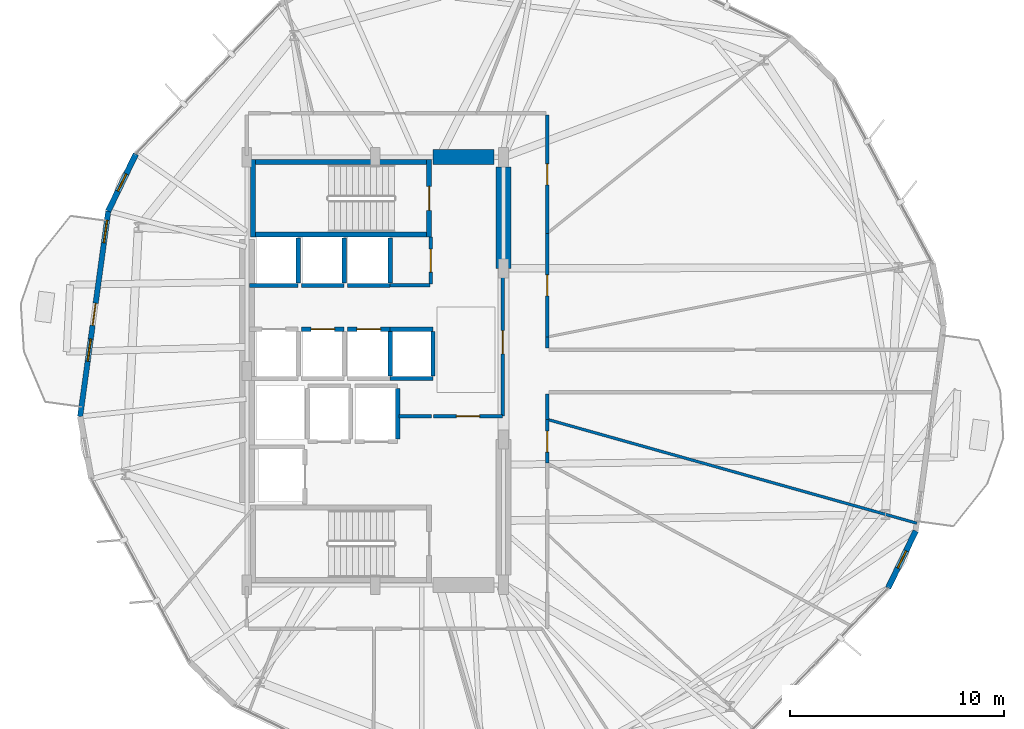
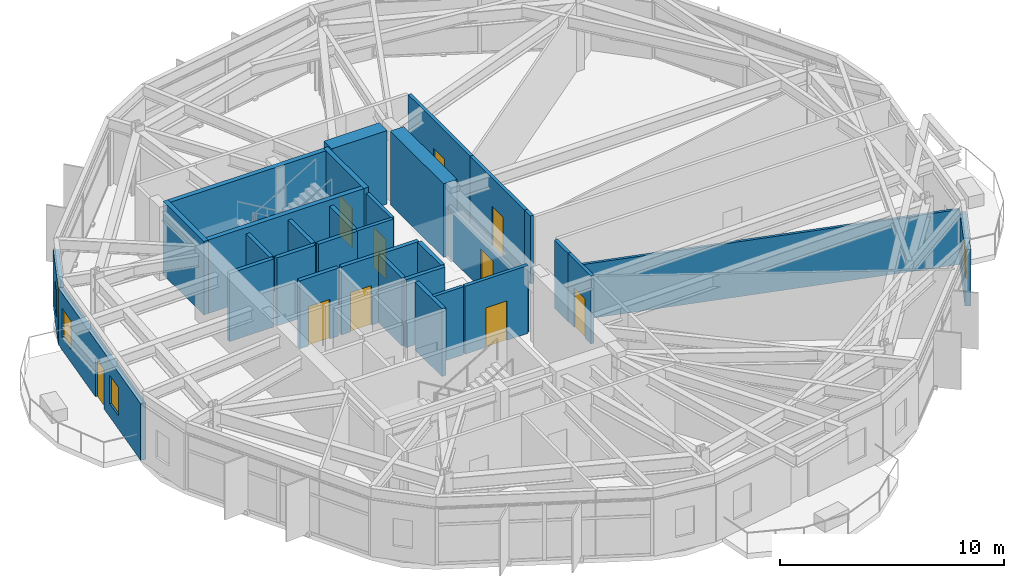
# One storey, part 18 of 22: 33 walls, 10 doors, 4 windows, 14 openings.
"""IFC4 building model written with IfcOpenShell, lengths in metres."""

from ifc_helpers import new_model, si_unit, direction, frame, frame_2d, origin, place, context, subcontext, project, spatial, rectangle, extrude, material, layer, layer_set, type_object, element, fill, save


model = new_model("IFC4")

# Units and contexts
model_context = context("Model", 3, precision=1e-05, world=origin(), true_north=direction((0.0, 1.0)))
body_context = subcontext(model_context, "Body", "Model", "MODEL_VIEW")
ifc_project = project(units=[si_unit("LENGTHUNIT", "METRE"), si_unit("AREAUNIT", "SQUARE_METRE"), si_unit("VOLUMEUNIT", "CUBIC_METRE"), si_unit("PLANEANGLEUNIT", "RADIAN"), si_unit("MASSUNIT", "GRAM", prefix="KILO")], contexts=[model_context])

# Site, building, storey
site_placement = place(None, origin())
site = spatial("IfcSite", under=ifc_project, at=site_placement, CompositionType="ELEMENT")
building_placement = place(site_placement, origin())
building = spatial("IfcBuilding", under=site, at=building_placement, Name="Soratama Intermodal Tower", CompositionType="ELEMENT")
storey_placement = place(building_placement, frame((0.0, 0.0, 66.60009765625)))
storey = spatial("IfcBuildingStorey", under=building, at=storey_placement, Name="L15", CompositionType="ELEMENT", Elevation=66.60009765625)

# Wall, openings, door, windows
ifc_material_1 = material(Name="Concrete f'c 42 MPa", Category="concrete")
ifc_layer_1 = layer(ifc_material_1, 0.25)
ifc_layer_set_1 = layer_set([ifc_layer_1], Name="Concrete f'c 42 MPa")
wall_type_1 = type_object("IfcWallType", Name="EW-BAL-250", PredefinedType="SOLIDWALL", material=ifc_layer_set_1)
wall_1_placement = place(storey_placement, frame((26.116943359375, 32.48095703125, 0.0), z_axis=(0.0, 0.0, 1.0), x_axis=(-0.13571645175, -0.99074772002, 0.0)))
wall_1 = element("IfcWall", 1, at=wall_1_placement, inside=storey, type_object=wall_type_1, Name="L15 Terrace Wall F05", PredefinedType="SOLIDWALL", context=body_context, shape_type="SweptSolid", body=[
    extrude(rectangle(XDim=9.697998046875, YDim=0.25, at=frame_2d((4.84912109375, 0.0))), origin(), (0.0, 0.0, 1.0), 3.078857421875),
])
opening_1_placement = place(wall_1_placement, frame((4.34912109375, 0.0, 0.0)))
opening_1 = element("IfcOpeningElement", 2, at=opening_1_placement, cuts=wall_1, Name="Opening ED-5", PredefinedType="OPENING", context=body_context, shape_type="SweptSolid", body=[
    extrude(rectangle(XDim=1.050048828125, YDim=2.14990234375, at=frame_2d((0.52490234375, 1.074951171875))), frame((0.0, 0.135009765625, 0.0), z_axis=(0.0, -1.0, 0.0), x_axis=(1.0, 0.0, 0.0)), (0.0, 0.0, 1.0), 0.27001953125),
])
opening_2_placement = place(wall_1_placement, frame((0.43994140625, 0.0, 0.719970703125)))
opening_2 = element("IfcOpeningElement", 3, at=opening_2_placement, cuts=wall_1, Name="Opening WN-5", PredefinedType="OPENING", context=body_context, shape_type="SweptSolid", body=[
    extrude(rectangle(XDim=1.050048828125, YDim=1.550048828125, at=frame_2d((0.52490234375, 0.77490234375))), frame((0.0, 0.135009765625, 0.0), z_axis=(0.0, -1.0, 0.0), x_axis=(1.0, 0.0, 0.0)), (0.0, 0.0, 1.0), 0.27001953125),
])
opening_3_placement = place(wall_1_placement, frame((6.0390625, 0.0, 0.719970703125)))
opening_3 = element("IfcOpeningElement", 4, at=opening_3_placement, cuts=wall_1, Name="Opening WN-5", PredefinedType="OPENING", context=body_context, shape_type="SweptSolid", body=[
    extrude(rectangle(XDim=1.050048828125, YDim=1.550048828125, at=frame_2d((0.52490234375, 0.77490234375))), frame((0.0, 0.135009765625, 0.0), z_axis=(0.0, -1.0, 0.0), x_axis=(1.0, 0.0, 0.0)), (0.0, 0.0, 1.0), 0.27001953125),
])
ifc_material_2 = material(Name="Double-glazed aluminium door", Category="aluminium")
door_type_1 = type_object("IfcDoorType", Name="DR-BAL-1050", OperationType="NOTDEFINED", PredefinedType="DOOR", material=ifc_material_2)
door_1_placement = place(opening_1_placement, origin())
door_1 = element("IfcDoor", 5, at=door_1_placement, inside=storey, type_object=door_type_1, Name="L15 Balcony Door F05", OperationType="SINGLE_SWING_LEFT", OverallHeight=2.14990234375, OverallWidth=1.050048828125, PredefinedType="DOOR", context=body_context, shape_type="SweptSolid", body=[
    extrude(rectangle(XDim=1.050048828125, YDim=2.14990234375, at=frame_2d((0.52490234375, 1.074951171875))), frame((0.0, 0.02490234375, 0.0), z_axis=(0.0, -1.0, 0.0), x_axis=(1.0, 0.0, 0.0)), (0.0, 0.0, 1.0), 0.050048828125),
])
fill(opening_1, door_1)
ifc_material_3 = material(Name="Double-glazed aluminium window", Category="aluminium")
window_type_1 = type_object("IfcWindowType", Name="WN-FAC-1050", PartitioningType="SINGLE_PANEL", PredefinedType="WINDOW", material=ifc_material_3)
window_1_placement = place(opening_2_placement, origin())
window_1 = element("IfcWindow", 6, at=window_1_placement, inside=storey, type_object=window_type_1, Name="L15 Window A F05", OverallHeight=1.550048828125, OverallWidth=1.050048828125, PartitioningType="SINGLE_PANEL", PredefinedType="WINDOW", context=body_context, shape_type="SweptSolid", body=[
    extrude(rectangle(XDim=1.050048828125, YDim=1.550048828125, at=frame_2d((0.52490234375, 0.77490234375))), frame((0.0, 0.030029296875, 0.0), z_axis=(0.0, -1.0, 0.0), x_axis=(1.0, 0.0, 0.0)), (0.0, 0.0, 1.0), 0.06005859375),
])
fill(opening_2, window_1)
window_2_placement = place(opening_3_placement, origin())
window_2 = element("IfcWindow", 7, at=window_2_placement, inside=storey, type_object=window_type_1, Name="L15 Window B F05", OverallHeight=1.550048828125, OverallWidth=1.050048828125, PartitioningType="SINGLE_PANEL", PredefinedType="WINDOW", context=body_context, shape_type="SweptSolid", body=[
    extrude(rectangle(XDim=1.050048828125, YDim=1.550048828125, at=frame_2d((0.52490234375, 0.77490234375))), frame((0.0, 0.030029296875, 0.0), z_axis=(0.0, -1.0, 0.0), x_axis=(1.0, 0.0, 0.0)), (0.0, 0.0, 1.0), 0.06005859375),
])
fill(opening_3, window_2)

# Wall, opening, window
ifc_material_4 = material(Name="Concrete f'c 42 MPa", Category="concrete")
ifc_layer_2 = layer(ifc_material_4, 0.27001953125)
ifc_layer_set_2 = layer_set([ifc_layer_2], Name="Concrete f'c 42 MPa")
wall_type_2 = type_object("IfcWallType", Name="EW-CRN-270", PredefinedType="SOLIDWALL", material=ifc_layer_set_2)
wall_2_placement = place(storey_placement, frame((27.407958984375, 35.15185546875, 0.0), z_axis=(0.0, 0.0, 1.0), x_axis=(-0.435190898054, -0.900338204371, 0.0)))
wall_2 = element("IfcWall", 8, at=wall_2_placement, inside=storey, type_object=wall_type_2, Name="L15 Corner Closure Wall 04", PredefinedType="SOLIDWALL", context=body_context, shape_type="SweptSolid", body=[
    extrude(rectangle(XDim=2.966552734375, YDim=0.27001953125, at=frame_2d((1.4833984375, 0.0))), origin(), (0.0, 0.0, 1.0), 3.078857421875),
])
opening_4_placement = place(wall_2_placement, frame((1.033203125, 0.0, 0.75)))
opening_4 = element("IfcOpeningElement", 9, at=opening_4_placement, cuts=wall_2, Name="Opening WN-6", PredefinedType="OPENING", context=body_context, shape_type="SweptSolid", body=[
    extrude(rectangle(XDim=0.89990234375, YDim=1.5, at=frame_2d((0.449951171875, 0.75))), frame((0.0, 0.14501953125, 0.0), z_axis=(0.0, -1.0, 0.0), x_axis=(1.0, 0.0, 0.0)), (0.0, 0.0, 1.0), 0.2900390625),
])
ifc_material_5 = material(Name="Double-glazed aluminium window", Category="aluminium")
window_type_2 = type_object("IfcWindowType", Name="WN-FAC-900", PartitioningType="SINGLE_PANEL", PredefinedType="WINDOW", material=ifc_material_5)
window_3_placement = place(opening_4_placement, origin())
window_3 = element("IfcWindow", 10, at=window_3_placement, inside=storey, type_object=window_type_2, Name="L15 Corner Window 04", OverallHeight=1.5, OverallWidth=0.89990234375, PartitioningType="SINGLE_PANEL", PredefinedType="WINDOW", context=body_context, shape_type="SweptSolid", body=[
    extrude(rectangle(XDim=0.89990234375, YDim=1.5, at=frame_2d((0.449951171875, 0.75))), frame((0.0, 0.030029296875, 0.0), z_axis=(0.0, -1.0, 0.0), x_axis=(1.0, 0.0, 0.0)), (0.0, 0.0, 1.0), 0.06005859375),
])
fill(opening_4, window_3)

wall_3_placement = place(storey_placement, frame((62.592041015625, 14.84814453125, 0.0), z_axis=(0.0, 0.0, 1.0), x_axis=(0.435190898054, 0.900338204371, 0.0)))
wall_3 = element("IfcWall", 11, at=wall_3_placement, inside=storey, type_object=wall_type_2, Name="L15 Corner Closure Wall 09", PredefinedType="SOLIDWALL", context=body_context, shape_type="SweptSolid", body=[
    extrude(rectangle(XDim=2.966552734375, YDim=0.27001953125, at=frame_2d((1.4833984375, 0.0))), origin(), (0.0, 0.0, 1.0), 3.078857421875),
])
opening_5_placement = place(wall_3_placement, frame((1.033203125, 0.0, 0.75)))
opening_5 = element("IfcOpeningElement", 12, at=opening_5_placement, cuts=wall_3, Name="Opening WN-6", PredefinedType="OPENING", context=body_context, shape_type="SweptSolid", body=[
    extrude(rectangle(XDim=0.89990234375, YDim=1.5, at=frame_2d((0.449951171875, 0.75))), frame((0.0, 0.14501953125, 0.0), z_axis=(0.0, -1.0, 0.0), x_axis=(1.0, 0.0, 0.0)), (0.0, 0.0, 1.0), 0.2900390625),
])
window_4_placement = place(opening_5_placement, origin())
window_4 = element("IfcWindow", 13, at=window_4_placement, inside=storey, type_object=window_type_2, Name="L15 Corner Window 09", OverallHeight=1.5, OverallWidth=0.89990234375, PartitioningType="SINGLE_PANEL", PredefinedType="WINDOW", context=body_context, shape_type="SweptSolid", body=[
    extrude(rectangle(XDim=0.89990234375, YDim=1.5, at=frame_2d((0.449951171875, 0.75))), frame((0.0, 0.030029296875, 0.0), z_axis=(0.0, -1.0, 0.0), x_axis=(1.0, 0.0, 0.0)), (0.0, 0.0, 1.0), 0.06005859375),
])
fill(opening_5, window_4)

# Wall, opening, door
ifc_material_6 = material(Name="Fire-rated gypsum stud partition", Category="concrete")
ifc_layer_3 = layer(ifc_material_6, 0.169921875)
ifc_layer_set_3 = layer_set([ifc_layer_3], Name="Fire-rated gypsum stud partition")
wall_type_3 = type_object("IfcWallType", Name="IW-PART-R170", PredefinedType="PARTITIONING", material=ifc_layer_set_3)
wall_4_placement = place(storey_placement, frame((44.56005859375, 29.800048828125, 0.0), z_axis=(0.0, 0.0, 1.0), x_axis=(0.0, -1.0, 0.0)))
wall_4 = element("IfcWall", 14, at=wall_4_placement, inside=storey, type_object=wall_type_3, Name="L15 Partition W-L15-TP012", PredefinedType="PARTITIONING", context=body_context, shape_type="SweptSolid", body=[
    extrude(rectangle(XDim=6.91015625, YDim=0.169921875, at=frame_2d((3.455078125, 0.0))), origin(), (0.0, 0.0, 1.0), 2.739990234375),
])
opening_6_placement = place(wall_4_placement, frame((2.9150390625, 0.0, 0.0)))
opening_6 = element("IfcOpeningElement", 15, at=opening_6_placement, cuts=wall_4, Name="Opening ID-1", PredefinedType="OPENING", context=body_context, shape_type="SweptSolid", body=[
    extrude(rectangle(XDim=1.080078125, YDim=2.14990234375, at=frame_2d((0.5400390625, 1.074951171875))), frame((0.0, 0.094970703125, 0.0), z_axis=(0.0, -1.0, 0.0), x_axis=(1.0, 0.0, 0.0)), (0.0, 0.0, 1.0), 0.18994140625),
])
ifc_material_7 = material(Name="Solid hardwood acoustic door", Category="wood")
door_type_2 = type_object("IfcDoorType", Name="DR-LOB-FD60", OperationType="NOTDEFINED", PredefinedType="DOOR", material=ifc_material_7)
door_2_placement = place(opening_6_placement, origin())
door_2 = element("IfcDoor", 16, at=door_2_placement, inside=storey, type_object=door_type_2, Name="L15 Door D-L15-TP004", OperationType="SINGLE_SWING_LEFT", OverallHeight=2.14990234375, OverallWidth=1.080078125, PredefinedType="DOOR", context=body_context, shape_type="SweptSolid", body=[
    extrude(rectangle(XDim=1.080078125, YDim=2.14990234375, at=frame_2d((0.5400390625, 1.074951171875))), frame((0.0, 0.02490234375, 0.0), z_axis=(0.0, -1.0, 0.0), x_axis=(1.0, 0.0, 0.0)), (0.0, 0.0, 1.0), 0.050048828125),
])
fill(opening_6, door_2)

wall_5_placement = place(storey_placement, frame((46.64990234375, 36.97998046875, 0.0), z_axis=(0.0, 0.0, 1.0), x_axis=(0.0, -1.0, 0.0)))
wall_5 = element("IfcWall", 17, at=wall_5_placement, inside=storey, type_object=wall_type_3, Name="L15 Partition W-L15-TP015", PredefinedType="PARTITIONING", context=body_context, shape_type="SweptSolid", body=[
    extrude(rectangle(XDim=5.5380859375, YDim=0.169921875, at=frame_2d((2.76904296875, 0.0))), origin(), (0.0, 0.0, 1.0), 3.699951171875),
])
opening_7_placement = place(wall_5_placement, frame((2.2939453125, 0.0, 0.0)))
opening_7 = element("IfcOpeningElement", 18, at=opening_7_placement, cuts=wall_5, Name="Opening ID-5", PredefinedType="OPENING", context=body_context, shape_type="SweptSolid", body=[
    extrude(rectangle(XDim=0.97998046875, YDim=2.14990234375, at=frame_2d((0.489990234375, 1.074951171875))), frame((0.0, 0.094970703125, 0.0), z_axis=(0.0, -1.0, 0.0), x_axis=(1.0, 0.0, 0.0)), (0.0, 0.0, 1.0), 0.18994140625),
])
ifc_material_8 = material(Name="Solid hardwood acoustic door", Category="wood")
door_type_3 = type_object("IfcDoorType", Name="DR-OFF-980", OperationType="NOTDEFINED", PredefinedType="DOOR", material=ifc_material_8)
door_3_placement = place(opening_7_placement, origin())
door_3 = element("IfcDoor", 19, at=door_3_placement, inside=storey, type_object=door_type_3, Name="L15 Door D-L15-TP005", OperationType="SINGLE_SWING_RIGHT", OverallHeight=2.14990234375, OverallWidth=0.97998046875, PredefinedType="DOOR", context=body_context, shape_type="SweptSolid", body=[
    extrude(rectangle(XDim=0.97998046875, YDim=2.14990234375, at=frame_2d((0.489990234375, 1.074951171875))), frame((0.0, 0.02490234375, 0.0), z_axis=(0.0, -1.0, 0.0), x_axis=(1.0, 0.0, 0.0)), (0.0, 0.0, 1.0), 0.050048828125),
])
fill(opening_7, door_3)

wall_6_placement = place(storey_placement, frame((46.64990234375, 31.44189453125, 0.0), z_axis=(0.0, 0.0, 1.0), x_axis=(0.0, -1.0, 0.0)))
wall_6 = element("IfcWall", 20, at=wall_6_placement, inside=storey, type_object=wall_type_3, Name="L15 Partition W-L15-TP017", PredefinedType="PARTITIONING", context=body_context, shape_type="SweptSolid", body=[
    extrude(rectangle(XDim=4.848876953125, YDim=0.169921875, at=frame_2d((2.42431640625, 0.0))), origin(), (0.0, 0.0, 1.0), 3.699951171875),
])
opening_8_placement = place(wall_6_placement, frame((1.949951171875, 0.0, 0.0)))
opening_8 = element("IfcOpeningElement", 21, at=opening_8_placement, cuts=wall_6, Name="Opening ID-5", PredefinedType="OPENING", context=body_context, shape_type="SweptSolid", body=[
    extrude(rectangle(XDim=0.97998046875, YDim=2.14990234375, at=frame_2d((0.489990234375, 1.074951171875))), frame((0.0, 0.094970703125, 0.0), z_axis=(0.0, -1.0, 0.0), x_axis=(1.0, 0.0, 0.0)), (0.0, 0.0, 1.0), 0.18994140625),
])
door_4_placement = place(opening_8_placement, origin())
door_4 = element("IfcDoor", 22, at=door_4_placement, inside=storey, type_object=door_type_3, Name="L15 Door D-L15-TP006", OperationType="SINGLE_SWING_LEFT", OverallHeight=2.14990234375, OverallWidth=0.97998046875, PredefinedType="DOOR", context=body_context, shape_type="SweptSolid", body=[
    extrude(rectangle(XDim=0.97998046875, YDim=2.14990234375, at=frame_2d((0.489990234375, 1.074951171875))), frame((0.0, 0.02490234375, 0.0), z_axis=(0.0, -1.0, 0.0), x_axis=(1.0, 0.0, 0.0)), (0.0, 0.0, 1.0), 0.050048828125),
])
fill(opening_8, door_4)

wall_7_placement = place(storey_placement, frame((41.320068359375, 22.889892578125, 0.0), z_axis=(0.0, 0.0, 1.0), x_axis=(1.0, 0.0, 0.0)))
wall_7 = element("IfcWall", 23, at=wall_7_placement, inside=storey, type_object=wall_type_3, Name="L15 Partition W-L15-TP024", PredefinedType="PARTITIONING", context=body_context, shape_type="SweptSolid", body=[
    extrude(rectangle(XDim=3.239990234375, YDim=0.169921875, at=frame_2d((1.6201171875, 0.0))), origin(), (0.0, 0.0, 1.0), 3.699951171875),
])
opening_9_placement = place(wall_7_placement, frame((1.080078125, 0.0, 0.0)))
opening_9 = element("IfcOpeningElement", 24, at=opening_9_placement, cuts=wall_7, Name="Opening ID-0", PredefinedType="OPENING", context=body_context, shape_type="SweptSolid", body=[
    extrude(rectangle(XDim=1.080078125, YDim=2.14990234375, at=frame_2d((0.5400390625, 1.074951171875))), frame((0.0, 0.094970703125, 0.0), z_axis=(0.0, -1.0, 0.0), x_axis=(1.0, 0.0, 0.0)), (0.0, 0.0, 1.0), 0.18994140625),
])
ifc_material_9 = material(Name="Solid hardwood acoustic door", Category="wood")
door_type_4 = type_object("IfcDoorType", Name="DR-LOB-FD90", OperationType="NOTDEFINED", PredefinedType="DOOR", material=ifc_material_9)
door_5_placement = place(opening_9_placement, origin())
door_5 = element("IfcDoor", 25, at=door_5_placement, inside=storey, type_object=door_type_4, Name="L15 Door D-L15-TP012", OperationType="SINGLE_SWING_LEFT", OverallHeight=2.14990234375, OverallWidth=1.080078125, PredefinedType="DOOR", context=body_context, shape_type="SweptSolid", body=[
    extrude(rectangle(XDim=1.080078125, YDim=2.14990234375, at=frame_2d((0.5400390625, 1.074951171875))), frame((0.0, 0.02490234375, 0.0), z_axis=(0.0, -1.0, 0.0), x_axis=(1.0, 0.0, 0.0)), (0.0, 0.0, 1.0), 0.050048828125),
])
fill(opening_9, door_5)

wall_8_placement = place(storey_placement, frame((41.199951171875, 29.070068359375, 0.0), z_axis=(0.0, 0.0, 1.0), x_axis=(0.0, 1.0, 0.0)))
wall_8 = element("IfcWall", 26, at=wall_8_placement, inside=storey, type_object=wall_type_3, Name="L15 Partition W-L15-TP027", PredefinedType="PARTITIONING", context=body_context, shape_type="SweptSolid", body=[
    extrude(rectangle(XDim=2.18994140625, YDim=0.169921875, at=frame_2d((1.094970703125, 0.0))), origin(), (0.0, 0.0, 1.0), 3.699951171875),
])
opening_10_placement = place(wall_8_placement, frame((0.554931640625, 0.0, 0.0)))
opening_10 = element("IfcOpeningElement", 27, at=opening_10_placement, cuts=wall_8, Name="Opening ID-1", PredefinedType="OPENING", context=body_context, shape_type="SweptSolid", body=[
    extrude(rectangle(XDim=1.080078125, YDim=2.14990234375, at=frame_2d((0.5400390625, 1.074951171875))), frame((0.0, 0.094970703125, 0.0), z_axis=(0.0, -1.0, 0.0), x_axis=(1.0, 0.0, 0.0)), (0.0, 0.0, 1.0), 0.18994140625),
])
door_6_placement = place(opening_10_placement, origin())
door_6 = element("IfcDoor", 28, at=door_6_placement, inside=storey, type_object=door_type_2, Name="L15 Door D-L15-TP014", OperationType="SINGLE_SWING_LEFT", OverallHeight=2.14990234375, OverallWidth=1.080078125, PredefinedType="DOOR", context=body_context, shape_type="SweptSolid", body=[
    extrude(rectangle(XDim=1.080078125, YDim=2.14990234375, at=frame_2d((0.5400390625, 1.074951171875))), frame((0.0, 0.02490234375, 0.0), z_axis=(0.0, -1.0, 0.0), x_axis=(1.0, 0.0, 0.0)), (0.0, 0.0, 1.0), 0.050048828125),
])
fill(opening_10, door_6)

wall_9_placement = place(storey_placement, frame((46.64990234375, 22.738037109375, 0.0), z_axis=(0.0, 0.0, 1.0), x_axis=(0.0, -1.0, 0.0)))
wall_9 = element("IfcWall", 29, at=wall_9_placement, inside=storey, type_object=wall_type_3, Name="L15 Partition W-L15-TP028", PredefinedType="PARTITIONING", context=body_context, shape_type="SweptSolid", body=[
    extrude(rectangle(XDim=2.049072265625, YDim=0.169921875, at=frame_2d((1.0244140625, 0.0))), origin(), (0.0, 0.0, 1.0), 3.699951171875),
])
opening_11_placement = place(wall_9_placement, frame((0.549072265625, 0.0, 0.0)))
opening_11 = element("IfcOpeningElement", 30, at=opening_11_placement, cuts=wall_9, Name="Opening ID-5", PredefinedType="OPENING", context=body_context, shape_type="SweptSolid", body=[
    extrude(rectangle(XDim=0.97998046875, YDim=2.14990234375, at=frame_2d((0.489990234375, 1.074951171875))), frame((0.0, 0.094970703125, 0.0), z_axis=(0.0, -1.0, 0.0), x_axis=(1.0, 0.0, 0.0)), (0.0, 0.0, 1.0), 0.18994140625),
])
door_7_placement = place(opening_11_placement, origin())
door_7 = element("IfcDoor", 31, at=door_7_placement, inside=storey, type_object=door_type_3, Name="L15 Door D-L15-TP015", OperationType="SINGLE_SWING_RIGHT", OverallHeight=2.14990234375, OverallWidth=0.97998046875, PredefinedType="DOOR", context=body_context, shape_type="SweptSolid", body=[
    extrude(rectangle(XDim=0.97998046875, YDim=2.14990234375, at=frame_2d((0.489990234375, 1.074951171875))), frame((0.0, 0.02490234375, 0.0), z_axis=(0.0, -1.0, 0.0), x_axis=(1.0, 0.0, 0.0)), (0.0, 0.0, 1.0), 0.050048828125),
])
fill(opening_11, door_7)

# Walls
wall_10_placement = place(storey_placement, frame((39.300048828125, 29.010009765625, 0.0), z_axis=(0.0, 0.0, 1.0), x_axis=(1.0, 0.0, 0.0)))
element("IfcWall", 32, at=wall_10_placement, inside=storey, type_object=wall_type_3, Name="L15 Partition W-L15-TP031", PredefinedType="PARTITIONING", context=body_context, shape_type="SweptSolid", body=[
    extrude(rectangle(XDim=1.85986328125, YDim=0.169921875, at=frame_2d((0.929931640625, 0.0))), origin(), (0.0, 0.0, 1.0), 3.699951171875),
])
wall_11_placement = place(storey_placement, frame((39.719970703125, 22.889892578125, 0.0), z_axis=(0.0, 0.0, 1.0), x_axis=(1.0, 0.0, 0.0)))
element("IfcWall", 33, at=wall_11_placement, inside=storey, type_object=wall_type_3, Name="L15 Partition W-L15-TP032", PredefinedType="PARTITIONING", context=body_context, shape_type="SweptSolid", body=[
    extrude(rectangle(XDim=1.52001953125, YDim=0.169921875, at=frame_2d((0.760009765625, 0.0))), origin(), (0.0, 0.0, 1.0), 3.699951171875),
])
wall_12_placement = place(storey_placement, frame((46.64990234375, 23.929931640625, 0.0), z_axis=(0.0, 0.0, 1.0), x_axis=(0.0, -1.0, 0.0)))
element("IfcWall", 34, at=wall_12_placement, inside=storey, type_object=wall_type_3, Name="L15 Partition W-L15-TP034", PredefinedType="PARTITIONING", context=body_context, shape_type="SweptSolid", body=[
    extrude(rectangle(XDim=1.19189453125, YDim=0.169921875, at=frame_2d((0.595947265625, 0.0))), origin(), (0.0, 0.0, 1.0), 3.699951171875),
])
wall_13_placement = place(storey_placement, frame((46.64990234375, 26.593017578125, 0.0), z_axis=(0.0, 0.0, 1.0), x_axis=(0.0, -1.0, 0.0)))
element("IfcWall", 35, at=wall_13_placement, inside=storey, type_object=wall_type_3, Name="L15 Partition W-L15-TP035", PredefinedType="PARTITIONING", context=body_context, shape_type="SweptSolid", body=[
    extrude(rectangle(XDim=0.52294921875, YDim=0.169921875, at=frame_2d((0.261474609375, 0.0))), origin(), (0.0, 0.0, 1.0), 3.699951171875),
])
ifc_material_10 = material(Name="Fire-rated gypsum stud partition", Category="concrete")
ifc_layer_4 = layer(ifc_material_10, 0.1298828125)
ifc_layer_set_4 = layer_set([ifc_layer_4], Name="Fire-rated gypsum stud partition")
wall_type_4 = type_object("IfcWallType", Name="IW-PART-S130", PredefinedType="PARTITIONING", material=ifc_layer_set_4)
wall_14_placement = place(storey_placement, frame((46.64990234375, 22.738037109375, 0.0), z_axis=(0.0, 0.0, 1.0), x_axis=(0.962722681171, -0.270490367958, 0.0)))
element("IfcWall", 36, at=wall_14_placement, inside=storey, type_object=wall_type_4, Name="L15 Partition W-L15-TP004", PredefinedType="PARTITIONING", context=body_context, shape_type="SweptSolid", body=[
    extrude(rectangle(XDim=17.952392578125, YDim=0.1298828125, at=frame_2d((8.97607421875, 0.0))), origin(), (0.0, 0.0, 1.0), 2.994873046875),
])
ifc_material_11 = material(Name="Concrete f'c 42 MPa", Category="concrete")
ifc_layer_5 = layer(ifc_material_11, 0.199951171875)
ifc_layer_set_5 = layer_set([ifc_layer_5], Name="Concrete f'c 42 MPa")
wall_type_5 = type_object("IfcWallType", Name="IW-SHAFT-200", PredefinedType="SOLIDWALL", material=ifc_layer_set_5)
wall_15_placement = place(storey_placement, frame((39.64990234375, 21.81005859375, 0.0), z_axis=(0.0, 0.0, 1.0), x_axis=(0.0, 1.0, 0.0)))
element("IfcWall", 37, at=wall_15_placement, inside=storey, type_object=wall_type_5, Name="L15 FFL-2 Hoistway Wall E", PredefinedType="SOLIDWALL", context=body_context, shape_type="SweptSolid", body=[
    extrude(rectangle(XDim=2.3798828125, YDim=0.199951171875, at=frame_2d((1.18994140625, 0.0))), origin(), (0.0, 0.0, 1.0), 3.699951171875),
])

# Wall, opening, door
wall_16_placement = place(storey_placement, frame((35.14990234375, 26.949951171875, 0.0), z_axis=(0.0, 0.0, 1.0), x_axis=(1.0, 0.0, 0.0)))
wall_16 = element("IfcWall", 38, at=wall_16_placement, inside=storey, type_object=wall_type_5, Name="L15 PL-L2 Hoistway Wall N", PredefinedType="SOLIDWALL", context=body_context, shape_type="SweptSolid", body=[
    extrude(rectangle(XDim=2.0, YDim=0.199951171875, at=frame_2d((1.0, 0.0))), origin(), (0.0, 0.0, 1.0), 3.699951171875),
])
opening_12_placement = place(wall_16_placement, frame((0.449951171875, 0.0, 0.0)))
opening_12 = element("IfcOpeningElement", 39, at=opening_12_placement, cuts=wall_16, Name="Opening LD-1", PredefinedType="OPENING", context=body_context, shape_type="SweptSolid", body=[
    extrude(rectangle(XDim=1.10009765625, YDim=2.14990234375, at=frame_2d((0.550048828125, 1.074951171875))), frame((0.0, 0.10986328125, 0.0), z_axis=(0.0, -1.0, 0.0), x_axis=(1.0, 0.0, 0.0)), (0.0, 0.0, 1.0), 0.219970703125),
])
ifc_material_12 = material(Name="Steel fire door", Category="steel")
door_type_5 = type_object("IfcDoorType", Name="DR-LIFT-SLIDE", OperationType="NOTDEFINED", PredefinedType="DOOR", material=ifc_material_12)
door_8_placement = place(opening_12_placement, origin())
door_8 = element("IfcDoor", 40, at=door_8_placement, inside=storey, type_object=door_type_5, Name="L15 PL-L2 Sliding Landing Door", OperationType="SLIDING_TO_LEFT", OverallHeight=2.14990234375, OverallWidth=1.10009765625, PredefinedType="DOOR", context=body_context, shape_type="SweptSolid", body=[
    extrude(rectangle(XDim=1.10009765625, YDim=2.14990234375, at=frame_2d((0.550048828125, 1.074951171875))), frame((0.0, 0.02490234375, 0.0), z_axis=(0.0, -1.0, 0.0), x_axis=(1.0, 0.0, 0.0)), (0.0, 0.0, 1.0), 0.050048828125),
])
fill(opening_12, door_8)

wall_17_placement = place(storey_placement, frame((37.300048828125, 26.949951171875, 0.0), z_axis=(0.0, 0.0, 1.0), x_axis=(1.0, 0.0, 0.0)))
wall_17 = element("IfcWall", 41, at=wall_17_placement, inside=storey, type_object=wall_type_5, Name="L15 PL-L3 Hoistway Wall N", PredefinedType="SOLIDWALL", context=body_context, shape_type="SweptSolid", body=[
    extrude(rectangle(XDim=2.0, YDim=0.199951171875, at=frame_2d((1.0, 0.0))), origin(), (0.0, 0.0, 1.0), 3.699951171875),
])
opening_13_placement = place(wall_17_placement, frame((0.449951171875, 0.0, 0.0)))
opening_13 = element("IfcOpeningElement", 42, at=opening_13_placement, cuts=wall_17, Name="Opening LD-1", PredefinedType="OPENING", context=body_context, shape_type="SweptSolid", body=[
    extrude(rectangle(XDim=1.10009765625, YDim=2.14990234375, at=frame_2d((0.550048828125, 1.074951171875))), frame((0.0, 0.10986328125, 0.0), z_axis=(0.0, -1.0, 0.0), x_axis=(1.0, 0.0, 0.0)), (0.0, 0.0, 1.0), 0.219970703125),
])
door_9_placement = place(opening_13_placement, origin())
door_9 = element("IfcDoor", 43, at=door_9_placement, inside=storey, type_object=door_type_5, Name="L15 PL-L3 Sliding Landing Door", OperationType="SLIDING_TO_LEFT", OverallHeight=2.14990234375, OverallWidth=1.10009765625, PredefinedType="DOOR", context=body_context, shape_type="SweptSolid", body=[
    extrude(rectangle(XDim=1.10009765625, YDim=2.14990234375, at=frame_2d((0.550048828125, 1.074951171875))), frame((0.0, 0.02490234375, 0.0), z_axis=(0.0, -1.0, 0.0), x_axis=(1.0, 0.0, 0.0)), (0.0, 0.0, 1.0), 0.050048828125),
])
fill(opening_13, door_9)

# Walls
wall_18_placement = place(storey_placement, frame((39.300048828125, 24.760009765625, 0.0), z_axis=(0.0, 0.0, 1.0), x_axis=(0.0, 1.0, 0.0)))
element("IfcWall", 44, at=wall_18_placement, inside=storey, type_object=wall_type_5, Name="L15 PL-L3 Hoistway Wall E", PredefinedType="SOLIDWALL", context=body_context, shape_type="SweptSolid", body=[
    extrude(rectangle(XDim=2.080078125, YDim=0.199951171875, at=frame_2d((1.0400390625, 0.0))), origin(), (0.0, 0.0, 1.0), 3.699951171875),
])
for number, where, z_axis, x_axis, name in (
    (45, (39.300048828125, 24.64990234375, 0.0), (0.0, 0.0, 1.0), (1.0, 0.0, 0.0), "L15 PL-M1 Hoistway Wall S"),
    (46, (39.300048828125, 26.949951171875, 0.0), (0.0, 0.0, 1.0), (1.0, 0.0, 0.0), "L15 PL-M1 Hoistway Wall N"),
):
    element("IfcWall", number, at=place(storey_placement, frame(where, z_axis=z_axis, x_axis=x_axis)), inside=storey, type_object=wall_type_5, Name=name, PredefinedType="SOLIDWALL", context=body_context, shape_type="SweptSolid", body=[
        extrude(rectangle(XDim=2.0, YDim=0.199951171875, at=frame_2d((1.0, 0.0))), origin(), (0.0, 0.0, 1.0), 3.699951171875),
    ])
wall_19_placement = place(storey_placement, frame((41.300048828125, 24.760009765625, 0.0), z_axis=(0.0, 0.0, 1.0), x_axis=(0.0, 1.0, 0.0)))
element("IfcWall", 47, at=wall_19_placement, inside=storey, type_object=wall_type_5, Name="L15 PL-M1 Hoistway Wall E", PredefinedType="SOLIDWALL", context=body_context, shape_type="SweptSolid", body=[
    extrude(rectangle(XDim=2.080078125, YDim=0.199951171875, at=frame_2d((1.0400390625, 0.0))), origin(), (0.0, 0.0, 1.0), 3.699951171875),
])
wall_20_placement = place(storey_placement, frame((32.719970703125, 29.0, 0.0), z_axis=(0.0, 0.0, 1.0), x_axis=(1.0, 0.0, 0.0)))
element("IfcWall", 48, at=wall_20_placement, inside=storey, type_object=wall_type_5, Name="L15 PL-M2 Hoistway Wall S", PredefinedType="SOLIDWALL", context=body_context, shape_type="SweptSolid", body=[
    extrude(rectangle(XDim=2.280029296875, YDim=0.199951171875, at=frame_2d((1.14013671875, 0.0))), origin(), (0.0, 0.0, 1.0), 3.699951171875),
])
wall_21_placement = place(storey_placement, frame((35.0, 29.110107421875, 0.0), z_axis=(0.0, 0.0, 1.0), x_axis=(0.0, 1.0, 0.0)))
element("IfcWall", 49, at=wall_21_placement, inside=storey, type_object=wall_type_5, Name="L15 PL-M2 Hoistway Wall E", PredefinedType="SOLIDWALL", context=body_context, shape_type="SweptSolid", body=[
    extrude(rectangle(XDim=2.099853515625, YDim=0.199951171875, at=frame_2d((1.0498046875, 0.0))), origin(), (0.0, 0.0, 1.0), 3.699951171875),
])
wall_22_placement = place(storey_placement, frame((35.14990234375, 29.0, 0.0), z_axis=(0.0, 0.0, 1.0), x_axis=(1.0, 0.0, 0.0)))
element("IfcWall", 50, at=wall_22_placement, inside=storey, type_object=wall_type_5, Name="L15 PL-H1 Hoistway Wall S", PredefinedType="SOLIDWALL", context=body_context, shape_type="SweptSolid", body=[
    extrude(rectangle(XDim=2.0, YDim=0.199951171875, at=frame_2d((1.0, 0.0))), origin(), (0.0, 0.0, 1.0), 3.699951171875),
])
wall_23_placement = place(storey_placement, frame((37.14990234375, 29.110107421875, 0.0), z_axis=(0.0, 0.0, 1.0), x_axis=(0.0, 1.0, 0.0)))
element("IfcWall", 51, at=wall_23_placement, inside=storey, type_object=wall_type_5, Name="L15 PL-H1 Hoistway Wall E", PredefinedType="SOLIDWALL", context=body_context, shape_type="SweptSolid", body=[
    extrude(rectangle(XDim=2.099853515625, YDim=0.199951171875, at=frame_2d((1.0498046875, 0.0))), origin(), (0.0, 0.0, 1.0), 3.699951171875),
])
wall_24_placement = place(storey_placement, frame((37.300048828125, 29.0, 0.0), z_axis=(0.0, 0.0, 1.0), x_axis=(1.0, 0.0, 0.0)))
element("IfcWall", 52, at=wall_24_placement, inside=storey, type_object=wall_type_5, Name="L15 PL-H2 Hoistway Wall S", PredefinedType="SOLIDWALL", context=body_context, shape_type="SweptSolid", body=[
    extrude(rectangle(XDim=2.0, YDim=0.199951171875, at=frame_2d((1.0, 0.0))), origin(), (0.0, 0.0, 1.0), 3.699951171875),
])
wall_25_placement = place(storey_placement, frame((39.300048828125, 29.110107421875, 0.0), z_axis=(0.0, 0.0, 1.0), x_axis=(0.0, 1.0, 0.0)))
element("IfcWall", 53, at=wall_25_placement, inside=storey, type_object=wall_type_5, Name="L15 PL-H2 Hoistway Wall E", PredefinedType="SOLIDWALL", context=body_context, shape_type="SweptSolid", body=[
    extrude(rectangle(XDim=2.099853515625, YDim=0.199951171875, at=frame_2d((1.0498046875, 0.0))), origin(), (0.0, 0.0, 1.0), 3.699951171875),
])
ifc_material_13 = material(Name="Concrete f'c 56 MPa", Category="concrete")
ifc_layer_6 = layer(ifc_material_13, 0.699951171875)
ifc_layer_set_6 = layer_set([ifc_layer_6], Name="Concrete f'c 56 MPa")
wall_type_6 = type_object("IfcWallType", Name="SW-CORE-700", PredefinedType="SHEAR", material=ifc_layer_set_6)
wall_26_placement = place(storey_placement, frame((41.300048828125, 35.0, 0.0), z_axis=(0.0, 0.0, 1.0), x_axis=(1.0, 0.0, 0.0)))
element("IfcWall", 54, at=wall_26_placement, inside=storey, type_object=wall_type_6, Name="L15 Core Shear Wall CW-NE", PredefinedType="SHEAR", context=body_context, shape_type="SweptSolid", body=[
    extrude(rectangle(XDim=2.849853515625, YDim=0.699951171875, at=frame_2d((1.4248046875, 0.0))), origin(), (0.0, 0.0, 1.0), 4.0),
])
wall_27_placement = place(storey_placement, frame((44.60009765625, 29.800048828125, 0.0), z_axis=(0.0, 0.0, 1.0), x_axis=(0.0, 1.0, 0.0)))
element("IfcWall", 55, at=wall_27_placement, inside=storey, type_object=wall_type_6, Name="L15 Core Shear Wall CW-EN", PredefinedType="SHEAR", context=body_context, shape_type="SweptSolid", body=[
    extrude(rectangle(XDim=4.75, YDim=0.699951171875, at=frame_2d((2.375, 0.0))), origin(), (0.0, 0.0, 1.0), 4.0),
])
ifc_material_14 = material(Name="Concrete f'c 56 MPa", Category="concrete")
ifc_layer_7 = layer(ifc_material_14, 0.239990234375)
ifc_layer_set_7 = layer_set([ifc_layer_7], Name="Concrete f'c 56 MPa")
wall_type_7 = type_object("IfcWallType", Name="SW-STAIR-240", PredefinedType="SHEAR", material=ifc_layer_set_7)
wall_28_placement = place(storey_placement, frame((32.8798828125, 31.260009765625, 0.0), z_axis=(0.0, 0.0, 1.0), x_axis=(0.0, 1.0, 0.0)))
element("IfcWall", 56, at=wall_28_placement, inside=storey, type_object=wall_type_7, Name="L15 ST-2 Shaft Shear Wall W", PredefinedType="SHEAR", context=body_context, shape_type="SweptSolid", body=[
    extrude(rectangle(XDim=3.6298828125, YDim=0.239990234375, at=frame_2d((1.81494140625, 0.0))), origin(), (0.0, 0.0, 1.0), 4.0),
])

# Wall, opening, door
wall_29_placement = place(storey_placement, frame((41.1201171875, 31.260009765625, 0.0), z_axis=(0.0, 0.0, 1.0), x_axis=(0.0, 1.0, 0.0)))
wall_29 = element("IfcWall", 57, at=wall_29_placement, inside=storey, type_object=wall_type_7, Name="L15 ST-2 Shaft Shear Wall E", PredefinedType="SHEAR", context=body_context, shape_type="SweptSolid", body=[
    extrude(rectangle(XDim=3.6298828125, YDim=0.239990234375, at=frame_2d((1.81494140625, 0.0))), origin(), (0.0, 0.0, 1.0), 4.0),
])
opening_14_placement = place(wall_29_placement, frame((1.2548828125, 0.0, 0.0)))
opening_14 = element("IfcOpeningElement", 58, at=opening_14_placement, cuts=wall_29, Name="Opening SD-1", PredefinedType="OPENING", context=body_context, shape_type="SweptSolid", body=[
    extrude(rectangle(XDim=1.1201171875, YDim=2.14990234375, at=frame_2d((0.56005859375, 1.074951171875))), frame((0.0, 0.1298828125, 0.0), z_axis=(0.0, -1.0, 0.0), x_axis=(1.0, 0.0, 0.0)), (0.0, 0.0, 1.0), 0.260009765625),
])
ifc_material_15 = material(Name="Steel fire door", Category="steel")
door_type_6 = type_object("IfcDoorType", Name="DR-STAIR-FD90", OperationType="NOTDEFINED", PredefinedType="DOOR", material=ifc_material_15)
door_10_placement = place(opening_14_placement, origin())
door_10 = element("IfcDoor", 59, at=door_10_placement, inside=storey, type_object=door_type_6, Name="L15 ST-2 Exit Stair Door", OperationType="SINGLE_SWING_RIGHT", OverallHeight=2.14990234375, OverallWidth=1.1201171875, PredefinedType="DOOR", context=body_context, shape_type="SweptSolid", body=[
    extrude(rectangle(XDim=1.1201171875, YDim=2.14990234375, at=frame_2d((0.56005859375, 1.074951171875))), frame((0.0, 0.02490234375, 0.0), z_axis=(0.0, -1.0, 0.0), x_axis=(1.0, 0.0, 0.0)), (0.0, 0.0, 1.0), 0.050048828125),
])
fill(opening_14, door_10)

# Walls
for number, where, z_axis, x_axis, name in (
    (60, (33.0, 31.3798828125, 0.0), (0.0, 0.0, 1.0), (1.0, 0.0, 0.0), "L15 ST-2 Shaft Shear Wall S"),
    (61, (33.0, 34.77001953125, 0.0), (0.0, 0.0, 1.0), (1.0, 0.0, 0.0), "L15 ST-2 Shaft Shear Wall N"),
):
    element("IfcWall", number, at=place(storey_placement, frame(where, z_axis=z_axis, x_axis=x_axis)), inside=storey, type_object=wall_type_7, Name=name, PredefinedType="SHEAR", context=body_context, shape_type="SweptSolid", body=[
        extrude(rectangle(XDim=8.0, YDim=0.239990234375, at=frame_2d((4.0, 0.0))), origin(), (0.0, 0.0, 1.0), 4.0),
    ])

save(model, "model.ifc")
